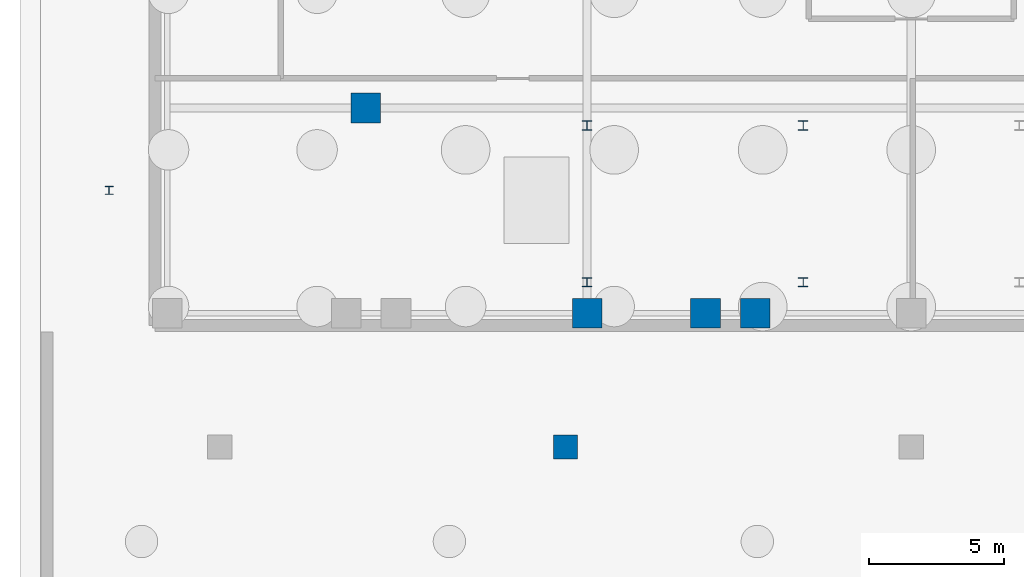
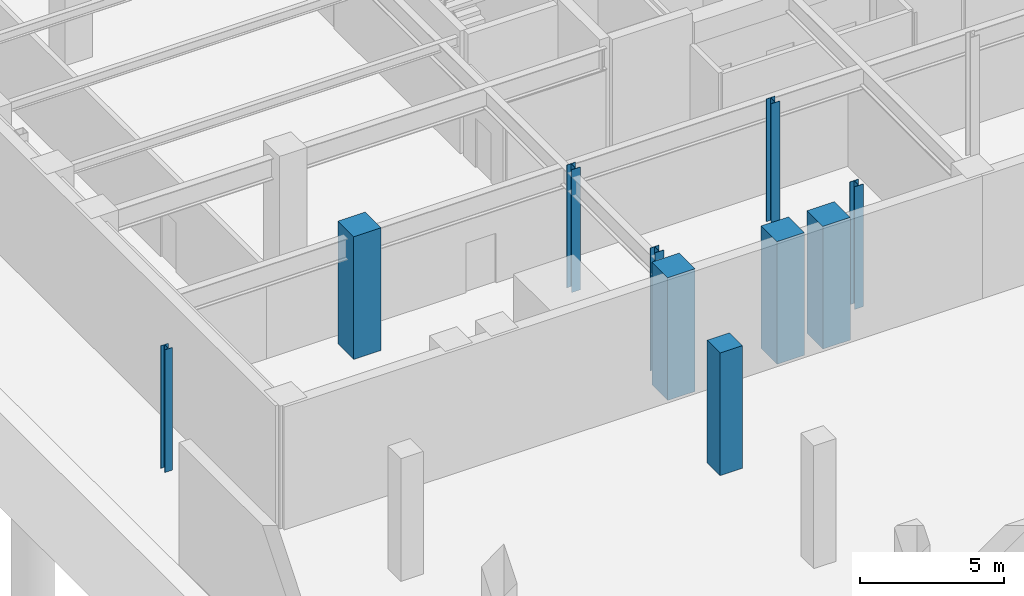
# One storey, part 2 of 18: 10 columns.
"""IFC4 building model written with IfcOpenShell, lengths in metres."""

from ifc_helpers import new_model, si_unit, direction, frame, origin, origin_2d, place, context, subcontext, project, spatial, rectangle, i_section, extrude, material, material_profile, profile_set, type_object, element, save


model = new_model("IFC4")

# Units and contexts
model_context = context("Model", 3, precision=1e-05, world=origin(), true_north=direction((0.0, 1.0)))
body_context = subcontext(model_context, "Body", "Model", "MODEL_VIEW")
ifc_project = project(units=[si_unit("LENGTHUNIT", "METRE"), si_unit("AREAUNIT", "SQUARE_METRE"), si_unit("VOLUMEUNIT", "CUBIC_METRE"), si_unit("PLANEANGLEUNIT", "RADIAN"), si_unit("MASSUNIT", "GRAM", prefix="KILO")], contexts=[model_context])

# Site, building, storey
site_placement = place(None, origin())
site = spatial("IfcSite", under=ifc_project, at=site_placement, CompositionType="ELEMENT")
building_placement = place(site_placement, origin())
building = spatial("IfcBuilding", under=site, at=building_placement, Name="Veldorina Hangang Commons", CompositionType="ELEMENT")
storey_placement = place(building_placement, frame((0.0, 0.0, -10.39990234375)))
storey = spatial("IfcBuildingStorey", under=building, at=storey_placement, Name="B02", CompositionType="ELEMENT", Elevation=-10.39990234375)

# Columns
ifc_material_1 = material(Name="Steel SM355-TMC", Category="steel")
ifc_material_profile_1 = material_profile(ifc_material_1, i_section(OverallWidth=0.300048828125, OverallDepth=0.300048828125, WebThickness=0.010009765625, FlangeThickness=0.014892578125, FilletRadius=0.012939453125, at=origin_2d()), Name="H-300x300x10x15")
ifc_profile_set_1 = profile_set([ifc_material_profile_1], Name="Steel SM355-TMC")
column_type_1 = type_object("IfcColumnType", Name="COL-H300", PredefinedType="COLUMN", material=ifc_profile_set_1)
column_1_placement = place(storey_placement, frame((2.300048828125, 8.0, 0.0), z_axis=(0.0, 0.0, 1.0), x_axis=(1.0, 0.0, 0.0)))
element("IfcColumn", 1, at=column_1_placement, inside=storey, type_object=column_type_1, Name="B02 walkway support pier WEST1", PredefinedType="COLUMN", context=body_context, shape_type="SweptSolid", body=[
    extrude(i_section(OverallWidth=0.300048828125, OverallDepth=0.300048828125, WebThickness=0.010009765625, FlangeThickness=0.014892578125, FilletRadius=0.012939453125, at=origin_2d()), origin(), (0.0, 0.0, 1.0), 5.199951171875),
])
ifc_material_2 = material(Name="Steel SM420-TMC", Category="steel")
ifc_material_profile_2 = material_profile(ifc_material_2, i_section(OverallWidth=0.35009765625, OverallDepth=0.35009765625, WebThickness=0.011962890625, FlangeThickness=0.01904296875, FilletRadius=0.01611328125, at=origin_2d()), Name="H-350x350x12x19")
ifc_profile_set_2 = profile_set([ifc_material_profile_2], Name="Steel SM420-TMC")
column_type_2 = type_object("IfcColumnType", Name="COL-H350", PredefinedType="COLUMN", material=ifc_profile_set_2)
for number, where, z_axis, x_axis, name in (
    (2, (20.0, 4.60009765625, 0.0), (0.0, 0.0, 1.0), (1.0, 0.0, 0.0), "B02 vehicle ramp support column 1S"),
    (3, (20.0, 10.39990234375, 0.0), (0.0, 0.0, 1.0), (1.0, 0.0, 0.0), "B02 vehicle ramp support column 1N"),
    (4, (28.0, 4.60009765625, 0.0), (0.0, 0.0, 1.0), (1.0, 0.0, 0.0), "B02 vehicle ramp support column 2S"),
    (5, (28.0, 10.39990234375, 0.0), (0.0, 0.0, 1.0), (1.0, 0.0, 0.0), "B02 vehicle ramp support column 2N"),
):
    element("IfcColumn", number, at=place(storey_placement, frame(where, z_axis=z_axis, x_axis=x_axis)), inside=storey, type_object=column_type_2, Name=name, PredefinedType="COLUMN", context=body_context, shape_type="SweptSolid", body=[
        extrude(i_section(OverallWidth=0.35009765625, OverallDepth=0.35009765625, WebThickness=0.011962890625, FlangeThickness=0.01904296875, FilletRadius=0.01611328125, at=origin_2d()), origin(), (0.0, 0.0, 1.0), 5.199951171875),
    ])
ifc_material_3 = material(Name="Concrete C60/75", Category="concrete")
ifc_material_profile_3 = material_profile(ifc_material_3, rectangle(XDim=1.10009765625, YDim=1.10009765625, at=origin_2d()), Name="RC-COL-1100x1100")
ifc_profile_set_3 = profile_set([ifc_material_profile_3], Name="Concrete C60/75")
column_type_3 = type_object("IfcColumnType", Name="COL-RC1100", PredefinedType="COLUMN", material=ifc_profile_set_3)
for number, where, z_axis, x_axis, name in (
    (6, (20.0, 3.449951171875, 0.0), (0.0, 0.0, 1.0), (1.0, 0.0, 0.0), "B02 structural column S3"),
    (7, (24.3798828125, 3.449951171875, 0.0), (0.0, 0.0, 1.0), (1.0, 0.0, 0.0), "B02 structural column VC-2L"),
    (8, (26.219970703125, 3.449951171875, 0.0), (0.0, 0.0, 1.0), (1.0, 0.0, 0.0), "B02 structural column VC-2R"),
    (9, (11.800048828125, 11.050048828125, 0.0), (0.0, 0.0, 1.0), (1.0, 0.0, 0.0), "B02 structural column BM5"),
):
    element("IfcColumn", number, at=place(storey_placement, frame(where, z_axis=z_axis, x_axis=x_axis)), inside=storey, type_object=column_type_3, Name=name, PredefinedType="COLUMN", context=body_context, shape_type="SweptSolid", body=[
        extrude(rectangle(XDim=1.10009765625, YDim=1.10009765625, at=origin_2d()), origin(), (0.0, 0.0, 1.0), 5.199951171875),
    ])
ifc_material_4 = material(Name="Concrete C50/60", Category="concrete")
ifc_material_profile_4 = material_profile(ifc_material_4, rectangle(XDim=0.89990234375, YDim=0.89990234375, at=origin_2d()), Name="RC-COL-900x900")
ifc_profile_set_4 = profile_set([ifc_material_profile_4], Name="Concrete C50/60")
column_type_4 = type_object("IfcColumnType", Name="COL-RC900", PredefinedType="COLUMN", material=ifc_profile_set_4)
column_2_placement = place(storey_placement, frame((19.199951171875, -1.5, 0.0), z_axis=(0.0, 0.0, 1.0), x_axis=(1.0, 0.0, 0.0)))
element("IfcColumn", 10, at=column_2_placement, inside=storey, type_object=column_type_4, Name="B02 promenade substructure column 32", PredefinedType="COLUMN", context=body_context, shape_type="SweptSolid", body=[
    extrude(rectangle(XDim=0.89990234375, YDim=0.89990234375, at=origin_2d()), origin(), (0.0, 0.0, 1.0), 5.199951171875),
])

save(model, "model.ifc")
